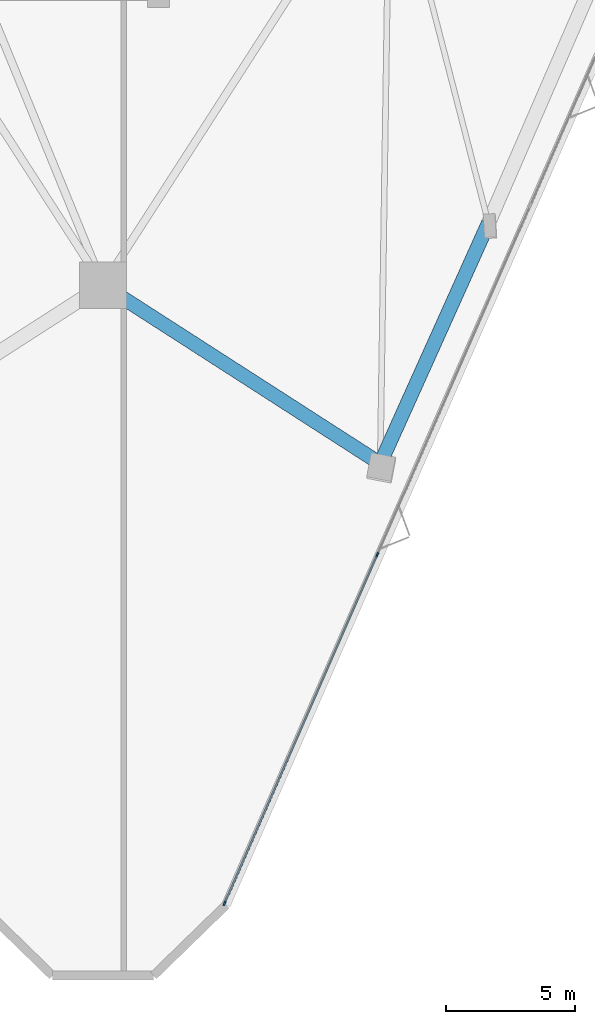
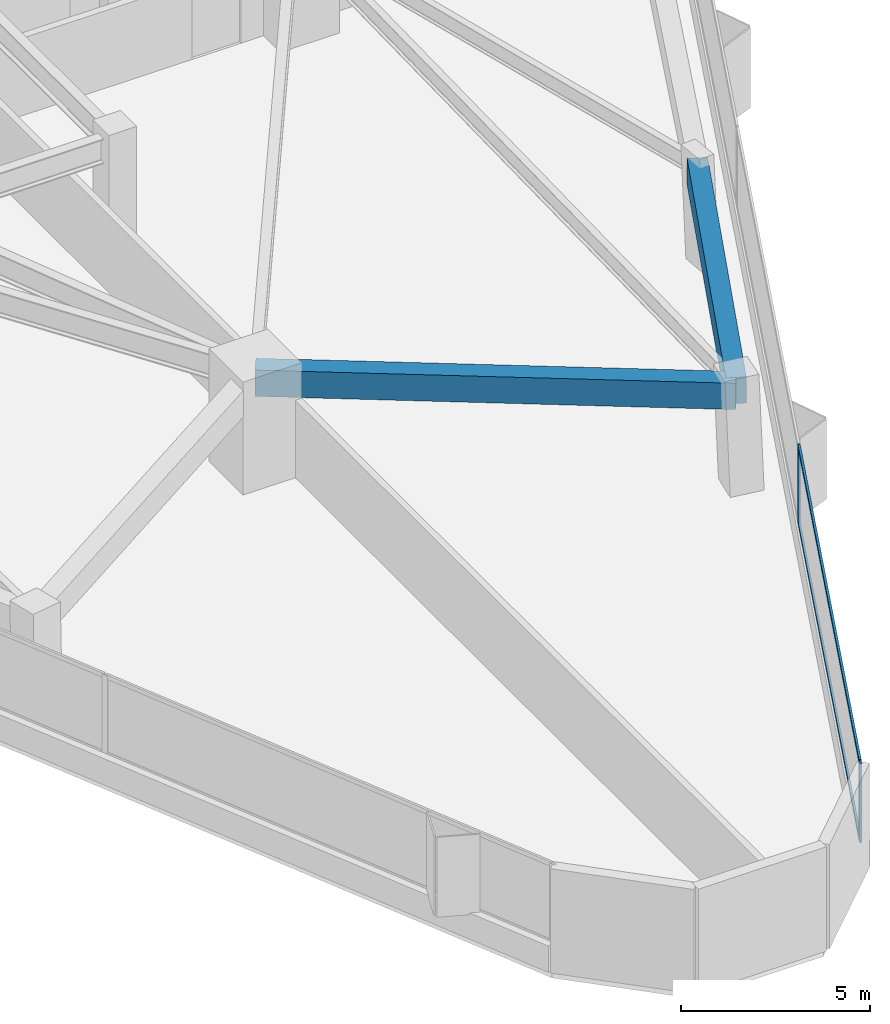
# One storey, part 4 of 20: 4 members, 2 beams, 1 element without a shape of its own.
"""IFC4 building model written with IfcOpenShell, lengths in metres."""

import ifcopenshell
import ifcopenshell.guid

model = None  # the IFC model being written
_history = None  # IfcOwnerHistory: only IFC2X3 demands one
_inside = {}  # id of a spatial element -> (the spatial element, [elements in it])
_under = {}  # id of a project, library or spatial element -> (it, [spatial elements below it])
_declared = {}  # id of a project -> (the project, [libraries it declares])
_typed = {}  # id of a type object -> (the type object, [elements of that type])
_made_of = {}  # id of a material, layer set ... -> (it, [elements and type objects made of it])


def new_model(schema):
    """Start an empty IFC model of exactly this schema.

    Asked for "IFC4X3", IfcOpenShell would pick the latest addendum, in which some entities
    have other attributes; the version numbers below select the first issue.
    IFC2X3 requires an IfcOwnerHistory on every rooted entity: one is made here for all.
    """
    global model, _history
    if schema == "IFC4X3":
        model = ifcopenshell.file(schema_version=(4, 3, 0, 0))
    else:
        model = ifcopenshell.file(schema=schema)
    _inside.clear()
    _under.clear()
    _declared.clear()
    _typed.clear()
    _made_of.clear()
    _history = None
    if model.schema == "IFC2X3":
        org = make("IfcOrganization", Name="unknown")
        user = make(
            "IfcPersonAndOrganization",
            ThePerson=make("IfcPerson", FamilyName="unknown"),
            TheOrganization=org,
        )
        app = make(
            "IfcApplication",
            ApplicationDeveloper=org,
            Version="unknown",
            ApplicationFullName="unknown",
            ApplicationIdentifier="unknown",
        )
        _history = make(
            "IfcOwnerHistory",
            OwningUser=user,
            OwningApplication=app,
            ChangeAction="ADDED",
            CreationDate=0,
        )
    return model


def make(cls, **values):
    """One entity of the class cls with the attributes given. An attribute that is None is left unset."""
    return model.create_entity(
        cls, **{name: value for name, value in values.items() if value is not None}
    )


def rooted(cls, **values):
    """An entity with a GlobalId (a new one), such as an element, a storey or a relation."""
    return make(cls, GlobalId=ifcopenshell.guid.new(), OwnerHistory=_history, **values)


def si_unit(unit_type, name, prefix=None):
    """IfcSIUnit, for example si_unit("LENGTHUNIT", "METRE", prefix="MILLI")."""
    return make("IfcSIUnit", UnitType=unit_type, Prefix=prefix, Name=name)


def assignment(units):
    """IfcUnitAssignment: the units of a project."""
    return None if units is None else make("IfcUnitAssignment", Units=units)


def point(xyz):
    """IfcCartesianPoint."""
    return None if xyz is None else make("IfcCartesianPoint", Coordinates=xyz)


def direction(xyz):
    """IfcDirection."""
    return None if xyz is None else make("IfcDirection", DirectionRatios=xyz)


def frame(location, z_axis=None, x_axis=None):
    """IfcAxis2Placement3D, a coordinate frame: its origin and axes. An axis left out is left unset."""
    return make(
        "IfcAxis2Placement3D",
        Location=point(location),
        Axis=direction(z_axis),
        RefDirection=direction(x_axis),
    )


def frame_2d(location, x_axis=None):
    """IfcAxis2Placement2D, a coordinate frame in the plane: its origin and x axis."""
    return make(
        "IfcAxis2Placement2D", Location=point(location), RefDirection=direction(x_axis)
    )


def origin():
    """The frame at (0, 0, 0) with its axes left unset."""
    return frame((0.0, 0.0, 0.0))


def origin_2d():
    """The frame at (0, 0) in the plane with its x axis left unset."""
    return frame_2d((0.0, 0.0))


def place(relative_to, where):
    """IfcLocalPlacement: puts the frame where relative to a parent placement (None: the world)."""
    return make(
        "IfcLocalPlacement", PlacementRelTo=relative_to, RelativePlacement=where
    )


def context(
    kind, dimensions, precision=None, world=None, true_north=None, identifier=None
):
    """IfcGeometricRepresentationContext, for example the 3D "Model" context."""
    return make(
        "IfcGeometricRepresentationContext",
        ContextIdentifier=identifier,
        ContextType=kind,
        CoordinateSpaceDimension=dimensions,
        Precision=precision,
        WorldCoordinateSystem=world,
        TrueNorth=true_north,
    )


def subcontext(parent, identifier, kind, view, scale=None):
    """IfcGeometricRepresentationSubContext, for example "Body" below "Model"."""
    return make(
        "IfcGeometricRepresentationSubContext",
        ContextIdentifier=identifier,
        ContextType=kind,
        ParentContext=parent,
        TargetScale=scale,
        TargetView=view,
    )


def project(units=None, contexts=None):
    """IfcProject with its units and contexts."""
    return rooted(
        "IfcProject",
        Name="project",
        RepresentationContexts=contexts,
        UnitsInContext=assignment(units),
    )


def spatial(cls, under=None, at=None, **own):
    """A site, building, storey or space (cls), placed at a placement, below another one or the project."""
    s = rooted(cls, ObjectPlacement=at, **own)
    if under is not None:
        _under.setdefault(under.id(), (under, []))[1].append(s)
    return s


def profile(cls, at=None, kind="AREA", **sizes):
    """A parametric profile (cls). Its sizes go by their IFC names, for example OverallWidth=200.0."""
    return make(cls, ProfileType=kind, Position=at, **sizes)


def rectangle(**sizes):
    """IfcRectangleProfileDef."""
    return profile("IfcRectangleProfileDef", **sizes)


def extrude(swept, where, along, depth):
    """IfcExtrudedAreaSolid: the profile swept, set in the frame where, extruded along a direction by depth."""
    return make(
        "IfcExtrudedAreaSolid",
        SweptArea=swept,
        Position=where,
        ExtrudedDirection=direction(along),
        Depth=depth,
    )


def shape(context_of_items, identifier, shape_type, items):
    """IfcShapeRepresentation: the items that make up one representation, for example the "Body"."""
    return make(
        "IfcShapeRepresentation",
        ContextOfItems=context_of_items,
        RepresentationIdentifier=identifier,
        RepresentationType=shape_type,
        Items=items,
    )


def material(Name=None, Category=None):
    """IfcMaterial."""
    return make("IfcMaterial", Name=Name, Category=Category)


def layer(
    of_material, thickness, ventilated=None, Name=None, Category=None, Priority=None
):
    """IfcMaterialLayer: one layer of a wall or slab, of a material (None: an air gap)."""
    return make(
        "IfcMaterialLayer",
        Material=of_material,
        LayerThickness=thickness,
        IsVentilated=ventilated,
        Name=Name,
        Category=Category,
        Priority=Priority,
    )


def layer_set(layers, Name=None):
    """IfcMaterialLayerSet."""
    return make("IfcMaterialLayerSet", MaterialLayers=layers, LayerSetName=Name)


def material_profile(
    of_material, cross_section, Name=None, Category=None, Priority=None
):
    """IfcMaterialProfile: a cross section and its material."""
    return make(
        "IfcMaterialProfile",
        Name=Name,
        Material=of_material,
        Profile=cross_section,
        Priority=Priority,
        Category=Category,
    )


def profile_set(profiles, Name=None, composite=None):
    """IfcMaterialProfileSet."""
    return make(
        "IfcMaterialProfileSet",
        Name=Name,
        MaterialProfiles=profiles,
        CompositeProfile=composite,
    )


def made_of(thing, what):
    """Note that an element or type object is made of a material, layer set ...; save() writes the relation."""
    if what is not None:
        _made_of.setdefault(what.id(), (what, []))[1].append(thing)
    return thing


def type_object(cls, material=None, **own):
    """A type object (cls), such as IfcWallType, which elements share."""
    return made_of(rooted(cls, **own), material)


def element(
    cls,
    number,
    at=None,
    inside=None,
    cuts=None,
    type_object=None,
    material=None,
    context=None,
    identifier="Body",
    shape_type=None,
    held_by="IfcProductDefinitionShape",
    body=None,
    shapes=None,
    **own,
):
    """One element of the class cls, such as IfcWall. Its Tag is "e" and its number.

    at: its placement. inside: the storey or other place that contains it. cuts: it is an
    opening in that element (IfcRelVoidsElement). A single representation is given by context,
    identifier, shape_type and body (its items); several are given by shapes. held_by: the class
    of the entity that holds the representations. save() writes the other relations.
    """
    e = rooted(cls, Tag="e%d" % number, ObjectPlacement=at, **own)
    if body is not None:
        shapes = [shape(context, identifier, shape_type, body)]
    if shapes is not None:
        e.Representation = make(held_by, Representations=shapes)
    if inside is not None:
        _inside.setdefault(inside.id(), (inside, []))[1].append(e)
    if cuts is not None:
        rooted(
            "IfcRelVoidsElement", RelatingBuildingElement=cuts, RelatedOpeningElement=e
        )
    if type_object is not None:
        _typed.setdefault(type_object.id(), (type_object, []))[1].append(e)
    return made_of(e, material)


def aggregate(whole, parts):
    """IfcRelAggregates: a whole, such as a stair, and the parts it consists of."""
    return rooted("IfcRelAggregates", RelatingObject=whole, RelatedObjects=parts)


def save(model, path):
    """Write the relations noted so far, then the file.

    IfcRelAggregates (storeys below a building ...), IfcRelContainedInSpatialStructure (elements
    in a storey), IfcRelDefinesByType, IfcRelAssociatesMaterial and IfcRelDeclares: one each for
    every whole, place, type object, material and project.
    """
    for whole, parts in _under.values():
        aggregate(whole, parts)
    for where, things in _inside.values():
        rooted(
            "IfcRelContainedInSpatialStructure",
            RelatedElements=things,
            RelatingStructure=where,
        )
    for kind, things in _typed.values():
        rooted("IfcRelDefinesByType", RelatedObjects=things, RelatingType=kind)
    for what, things in _made_of.values():
        rooted("IfcRelAssociatesMaterial", RelatedObjects=things, RelatingMaterial=what)
    for by, libraries in _declared.values():
        rooted("IfcRelDeclares", RelatingContext=by, RelatedDefinitions=libraries)
    model.write(path)


model = new_model("IFC4")

# Units and contexts
model_context = context("Model", 3, precision=1e-05, world=origin(), true_north=direction((0.0, 1.0)))
body_context = subcontext(model_context, "Body", "Model", "MODEL_VIEW")
ifc_project = project(units=[si_unit("LENGTHUNIT", "METRE"), si_unit("AREAUNIT", "SQUARE_METRE"), si_unit("VOLUMEUNIT", "CUBIC_METRE"), si_unit("PLANEANGLEUNIT", "RADIAN"), si_unit("MASSUNIT", "GRAM", prefix="KILO")], contexts=[model_context])

# Site, building, storey
site_placement = place(None, origin())
site = spatial("IfcSite", under=ifc_project, at=site_placement, CompositionType="ELEMENT")
building_placement = place(site_placement, origin())
building = spatial("IfcBuilding", under=site, at=building_placement, Name="Talyreon Biosciences Tower", CompositionType="ELEMENT")
storey_placement = place(building_placement, frame((0.0, 0.0, 30.10009765625)))
storey = spatial("IfcBuildingStorey", under=building, at=storey_placement, Name="L07", CompositionType="ELEMENT", Elevation=30.10009765625)

# Curtain wall, members
ifc_material_1 = material(Name="Thermally broken aluminium and low-E glazing", Category="aluminium")
ifc_layer = layer(ifc_material_1, 0.195068359375)
ifc_layer_set = layer_set([ifc_layer], Name="Thermally broken aluminium and low-E glazing")
curtain_wall_type = type_object("IfcCurtainWallType", Name="CurtainWall_Zone1WetLab", PredefinedType="NOTDEFINED", material=ifc_layer_set)
curtain_wall_placement = place(storey_placement, origin())
curtain_wall = element("IfcCurtainWall", 1, at=curtain_wall_placement, inside=storey, type_object=curtain_wall_type, Name="L07 Unitised Curtain Wall FCW-L07-08", PredefinedType="NOTDEFINED")
ifc_material_2 = material(Name="Anodised thermally broken aluminium", Category="aluminium")
ifc_material_profile_1 = material_profile(ifc_material_2, rectangle(XDim=0.06494140625, YDim=0.179931640625, at=origin_2d()), Name="ALUM MULLION 65x180")
ifc_profile_set_1 = profile_set([ifc_material_profile_1], Name="Anodised thermally broken aluminium")
member_type_1 = type_object("IfcMemberType", Name="CWMullion_65x180", PredefinedType="MULLION", material=ifc_profile_set_1)
member_1_placement = place(storey_placement, frame((76.61181640625, 31.237060546875, 0.809814453125), z_axis=(0.0, 0.0, 1.0), x_axis=(0.915926900592, -0.401345129249, 0.0)))
member_1 = element("IfcMember", 2, at=member_1_placement, type_object=member_type_1, Name="CW2 mullion 5", PredefinedType="MULLION", context=body_context, shape_type="SweptSolid", body=[
    extrude(rectangle(XDim=0.06494140625, YDim=0.179931640625, at=origin_2d()), origin(), (0.0, 0.0, 1.0), 2.565185546875),
])
member_2_placement = place(storey_placement, frame((70.70263671875, 17.751220703125, 0.809814453125), z_axis=(0.0, 0.0, 1.0), x_axis=(0.915926900592, -0.401345129249, 0.0)))
member_2 = element("IfcMember", 3, at=member_2_placement, type_object=member_type_1, Name="CW2 mullion 6", PredefinedType="MULLION", context=body_context, shape_type="SweptSolid", body=[
    extrude(rectangle(XDim=0.06494140625, YDim=0.179931640625, at=origin_2d()), origin(), (0.0, 0.0, 1.0), 2.565185546875),
])
ifc_material_profile_2 = material_profile(ifc_material_2, rectangle(XDim=0.06494140625, YDim=0.139892578125, at=origin_2d()), Name="ALUM TRANSOM 65x140")
ifc_profile_set_2 = profile_set([ifc_material_profile_2], Name="Anodised thermally broken aluminium")
member_type_2 = type_object("IfcMemberType", Name="CWTransom_65x140", PredefinedType="USERDEFINED", material=ifc_profile_set_2)
member_3_placement = place(storey_placement, frame((76.598876953125, 31.207275390625, 0.84228515625), z_axis=(-0.401351725582, -0.915924010152, 0.0), x_axis=(0.915924010152, -0.401351725582, 0.0)))
member_3 = element("IfcMember", 4, at=member_3_placement, type_object=member_type_2, Name="CW2 transom 5.1", ObjectType="TRANSOM", PredefinedType="USERDEFINED", context=body_context, shape_type="SweptSolid", body=[
    extrude(rectangle(XDim=0.06494140625, YDim=0.139892578125, at=origin_2d()), origin(), (0.0, 0.0, 1.0), 14.65869140625),
])
member_4_placement = place(storey_placement, frame((76.598876953125, 31.207275390625, 3.34228515625), z_axis=(-0.401351725582, -0.915924010152, 0.0), x_axis=(0.915924010152, -0.401351725582, 0.0)))
member_4 = element("IfcMember", 5, at=member_4_placement, type_object=member_type_2, Name="CW2 transom 5.2", ObjectType="TRANSOM", PredefinedType="USERDEFINED", context=body_context, shape_type="SweptSolid", body=[
    extrude(rectangle(XDim=0.06494140625, YDim=0.139892578125, at=origin_2d()), origin(), (0.0, 0.0, 1.0), 14.65869140625),
])
aggregate(curtain_wall, [member_1, member_2, member_3, member_4])

# Beams
ifc_material_3 = material(Name="Precast concrete C45/55", Category="concrete")
ifc_material_profile_3 = material_profile(ifc_material_3, rectangle(XDim=0.550048828125, YDim=0.85009765625, at=origin_2d()), Name="RCB 550x850")
ifc_profile_set_3 = profile_set([ifc_material_profile_3], Name="Precast concrete C45/55")
beam_type = type_object("IfcBeamType", Name="ExpressedSpandrel_550x850", PredefinedType="SPANDREL", material=ifc_profile_set_3)
beam_1_placement = place(storey_placement, frame((66.0, 41.6669921875, 2.949951171875), z_axis=(0.841009879269, -0.54101976209, 0.0), x_axis=(0.54101976209, 0.841009879269, 0.0)))
element("IfcBeam", 6, at=beam_1_placement, inside=storey, type_object=beam_type, Name="L07 Expressed Horizontal Concrete Spandrel 01", PredefinedType="SPANDREL", context=body_context, shape_type="SweptSolid", body=[
    extrude(rectangle(XDim=0.550048828125, YDim=0.85009765625, at=origin_2d()), origin(), (0.0, 0.0, 1.0), 12.75341796875),
])
beam_2_placement = place(storey_placement, frame((76.725830078125, 34.76708984375, 2.949951171875), z_axis=(0.410238283011, 0.911978372086, 0.0), x_axis=(-0.911978372086, 0.410238283011, 0.0)))
element("IfcBeam", 7, at=beam_2_placement, inside=storey, type_object=beam_type, Name="L07 Expressed Horizontal Concrete Spandrel 02", PredefinedType="SPANDREL", context=body_context, shape_type="SweptSolid", body=[
    extrude(rectangle(XDim=0.550048828125, YDim=0.85009765625, at=origin_2d()), origin(), (0.0, 0.0, 1.0), 10.200439453125),
])

save(model, "model.ifc")
